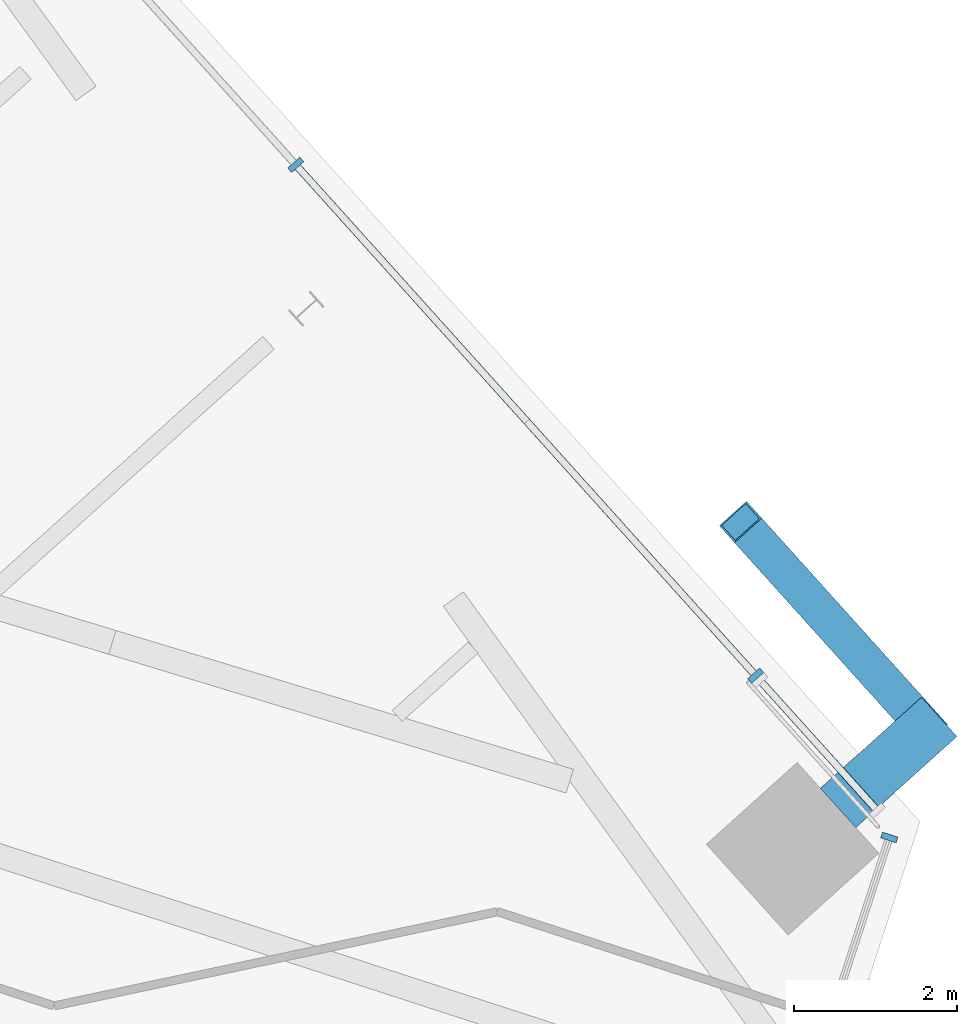
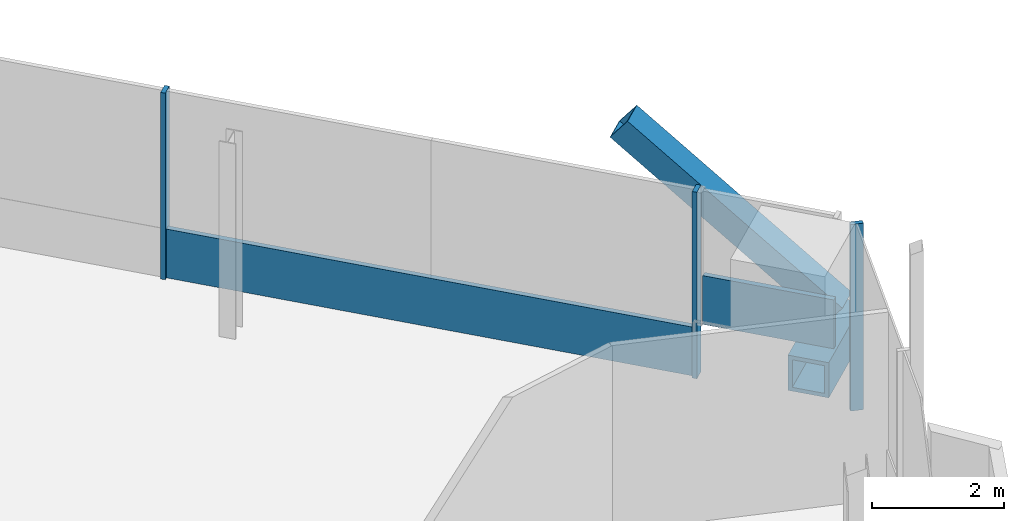
# One storey, part 7 of 20: 7 members, 3 elements without a shape of their own.
"""IFC4 building model written with IfcOpenShell, lengths in metres."""

from ifc_helpers import new_model, si_unit, direction, frame, origin, origin_2d, place, context, subcontext, project, spatial, rectangle, hollow_rectangle, extrude, source, transform, mapped, material, material_profile, profile_set, type_object, element, aggregate, save


model = new_model("IFC4")

# Units and contexts
model_context = context("Model", 3, precision=1e-05, world=origin(), true_north=direction((0.0, 1.0)))
body_context = subcontext(model_context, "Body", "Model", "MODEL_VIEW")
ifc_project = project(units=[si_unit("LENGTHUNIT", "METRE"), si_unit("AREAUNIT", "SQUARE_METRE"), si_unit("VOLUMEUNIT", "CUBIC_METRE"), si_unit("PLANEANGLEUNIT", "RADIAN"), si_unit("MASSUNIT", "GRAM", prefix="KILO")], contexts=[model_context])

# Site, building, storey
site_placement = place(None, origin())
site = spatial("IfcSite", under=ifc_project, at=site_placement, CompositionType="ELEMENT")
building_placement = place(site_placement, origin())
building = spatial("IfcBuilding", under=site, at=building_placement, Name="Triune Harvest Tower", CompositionType="ELEMENT")
storey_placement = place(building_placement, frame((0.0, 0.0, 259.5)))
storey = spatial("IfcBuildingStorey", under=building, at=storey_placement, Name="L68", CompositionType="ELEMENT", Elevation=259.5)

# Members
ifc_material_1 = material(Name="Steel ASTM A572 Gr 50", Category="steel")
ifc_material_profile_1 = material_profile(ifc_material_1, hollow_rectangle(XDim=0.449951171875, YDim=0.449951171875, WallThickness=0.02490234375, at=origin_2d()), Name="Box 450x450x25")
ifc_profile_set_1 = profile_set([ifc_material_profile_1], Name="Steel ASTM A572 Gr 50")
member_type_1 = type_object("IfcMemberType", Name="BR-4 Brace Box 450x450x25", PredefinedType="BRACE", material=ifc_profile_set_1)
member_1_placement = place(storey_placement, frame((30.135986328125, -2.89990234375, 0.889892578125), z_axis=(-0.524019172887, 0.581944747482, 0.621887624355), x_axis=(-0.743123382477, -0.669154420456, 0.0)))
element("IfcMember", 1, at=member_1_placement, inside=storey, type_object=member_type_1, Name="brace/B7-F1/d1/1", PredefinedType="BRACE", context=body_context, shape_type="SweptSolid", body=[
    extrude(hollow_rectangle(XDim=0.449951171875, YDim=0.449951171875, WallThickness=0.02490234375, at=origin_2d()), origin(), (0.0, 0.0, 1.0), 4.35791015625),
])
ifc_material_2 = material(Name="Steel ASTM A572 Gr 50", Category="steel")
ifc_material_profile_2 = material_profile(ifc_material_2, hollow_rectangle(XDim=0.64990234375, YDim=0.64990234375, WallThickness=0.070068359375, at=origin_2d()), Name="Box 650x650x70")
ifc_profile_set_2 = profile_set([ifc_material_profile_2], Name="Steel ASTM A572 Gr 50")
member_type_2 = type_object("IfcMemberType", Name="BS-1 Brace stub Box 650x650x70", PredefinedType="STRUT", material=ifc_profile_set_2)
shared_shape_1 = source(origin(), body_context, "Body", "SweptSolid", [
    extrude(hollow_rectangle(XDim=0.64990234375, YDim=0.64990234375, WallThickness=0.070068359375, at=origin_2d()), origin(), (0.0, 0.0, 1.0), 1.673095703125),
])
member_2_placement = place(storey_placement, frame((29.050537109375, -3.87744140625, 0.60009765625), z_axis=(0.743127251963, 0.669150123209, 0.0), x_axis=(-0.669150123209, 0.743127251963, 0.0)))
element("IfcMember", 2, at=member_2_placement, inside=storey, type_object=member_type_2, Name="brace/B7-F1/stub1", PredefinedType="STRUT", context=body_context, shape_type="MappedRepresentation", body=[
    mapped(shared_shape_1, transform((0.0, 0.0, 0.0), scale=1.0)),
])

# Curtain wall, members
ifc_material_3 = material(Name="Aluminium bronze anodised", Category="aluminium")
curtain_wall_type_1 = type_object("IfcCurtainWallType", Name="CW-7 Tower stick curtain wall with insulated spandrel infill", PredefinedType="NOTDEFINED", material=ifc_material_3)
curtain_wall_1_placement = place(storey_placement, origin())
curtain_wall_1 = element("IfcCurtainWall", 3, at=curtain_wall_1_placement, inside=storey, type_object=curtain_wall_type_1, Name="CW-7 B7-F1 L68 run 101")
ifc_material_4 = material(Name="Aluminium bronze anodised", Category="aluminium")
ifc_material_profile_3 = material_profile(ifc_material_4, rectangle(XDim=0.199951171875, YDim=0.074951171875, at=origin_2d()), Name="MU-1 mullion 75 x 200")
ifc_profile_set_3 = profile_set([ifc_material_profile_3], Name="Aluminium bronze anodised")
member_type_3 = type_object("IfcMemberType", Name="MU-1 mullion 75 x 200", PredefinedType="MULLION", material=ifc_profile_set_3)
shared_shape_2 = source(origin(), body_context, "Body", "SweptSolid", [
    extrude(rectangle(XDim=0.199951171875, YDim=0.074951171875, at=origin_2d()), origin(), (0.0, 0.0, 1.0), 3.43994140625),
])
member_3_placement = place(storey_placement, frame((28.038818359375, -2.251953125, 0.0), z_axis=(0.0, 0.0, 1.0), x_axis=(-0.743143654341, -0.669131907035, 0.0)))
member_3 = element("IfcMember", 4, at=member_3_placement, type_object=member_type_3, Name="CW-7 mullion B7-F1 101.1", PredefinedType="MULLION", context=body_context, shape_type="MappedRepresentation", body=[
    mapped(shared_shape_2, transform((0.0, 0.0, 0.0), scale=1.0)),
])
member_4_placement = place(storey_placement, frame((22.388671875, 4.023193359375, 0.0), z_axis=(0.0, 0.0, 1.0), x_axis=(-0.743143654341, -0.669131907035, 0.0)))
member_4 = element("IfcMember", 5, at=member_4_placement, type_object=member_type_3, Name="CW-7 mullion B7-F1 101.3", PredefinedType="MULLION", context=body_context, shape_type="MappedRepresentation", body=[
    mapped(shared_shape_2, transform((0.0, 0.0, 0.0), scale=1.0)),
])

# Curtain wall, member
ifc_material_5 = material(Name="Aluminium bronze anodised", Category="aluminium")
curtain_wall_type_2 = type_object("IfcCurtainWallType", Name="CW-1 Tower stick curtain wall", PredefinedType="NOTDEFINED", material=ifc_material_5)
curtain_wall_2_placement = place(storey_placement, origin())
curtain_wall_2 = element("IfcCurtainWall", 6, at=curtain_wall_2_placement, inside=storey, type_object=curtain_wall_type_2, Name="CW-1 B7-F6 L68 run 1")
member_5_placement = place(storey_placement, frame((29.679931640625, -4.23974609375, 0.0), z_axis=(0.0, 0.0, 1.0), x_axis=(-0.951055902733, 0.309018882717, 0.0)))
member_5 = element("IfcMember", 7, at=member_5_placement, type_object=member_type_3, Name="CW-1 mullion B7-F6 1.4", PredefinedType="MULLION", context=body_context, shape_type="MappedRepresentation", body=[
    mapped(shared_shape_2, transform((0.0, 0.0, 0.0), scale=1.0)),
])
aggregate(curtain_wall_2, [member_5])

curtain_wall_3_placement = place(storey_placement, origin())
curtain_wall_3 = element("IfcCurtainWall", 8, at=curtain_wall_3_placement, inside=storey, type_object=curtain_wall_type_1, Name="CW-7 B7-F1 L68 run 1")
ifc_material_6 = material(Name="Aluminium bronze anodised", Category="aluminium")
ifc_material_profile_4 = material_profile(ifc_material_6, rectangle(XDim=0.090087890625, YDim=0.89990234375, at=origin_2d()), Name="TR-1 transom 90 x 900")
ifc_profile_set_4 = profile_set([ifc_material_profile_4], Name="Aluminium bronze anodised")
member_type_4 = type_object("IfcMemberType", Name="TR-1 transom 90 x 900", PredefinedType="USERDEFINED", material=ifc_profile_set_4)
shared_shape_3 = source(origin(), body_context, "Body", "SweptSolid", [
    extrude(rectangle(XDim=0.090087890625, YDim=0.89990234375, at=origin_2d()), origin(), (0.0, 0.0, 1.0), 2.082275390625),
])
member_6_placement = place(storey_placement, frame((29.507568359375, -3.883056640625, 1.43505859375), z_axis=(-0.669210835978, 0.743072578561, 0.0), x_axis=(-0.743072578561, -0.669210835978, 0.0)))
member_6 = element("IfcMember", 9, at=member_6_placement, type_object=member_type_4, Name="CW-7 transom B7-F1 1.1", ObjectType="TRANSOM", PredefinedType="USERDEFINED", context=body_context, shape_type="MappedRepresentation", body=[
    mapped(shared_shape_3, transform((0.0, 0.0, 0.0), scale=1.0)),
])
aggregate(curtain_wall_3, [member_6])

# Member
shared_shape_4 = source(origin(), body_context, "Body", "SweptSolid", [
    extrude(rectangle(XDim=0.090087890625, YDim=0.89990234375, at=origin_2d()), origin(), (0.0, 0.0, 1.0), 8.368896484375),
])
member_7_placement = place(storey_placement, frame((28.013671875, -2.22412109375, 0.449951171875), z_axis=(-0.669132336284, 0.743143267842, 0.0), x_axis=(-0.743143267842, -0.669132336284, 0.0)))
member_7 = element("IfcMember", 10, at=member_7_placement, type_object=member_type_4, Name="CW-7 transom B7-F1 101.1", ObjectType="TRANSOM", PredefinedType="USERDEFINED", context=body_context, shape_type="MappedRepresentation", body=[
    mapped(shared_shape_4, transform((0.0, 0.0, 0.0), scale=1.0)),
])

aggregate(curtain_wall_1, [member_3, member_4, member_7])

save(model, "model.ifc")
